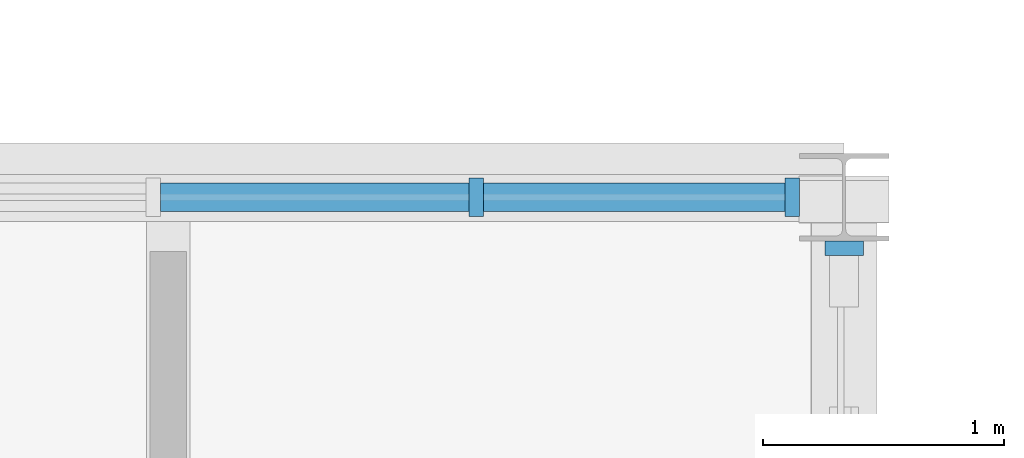
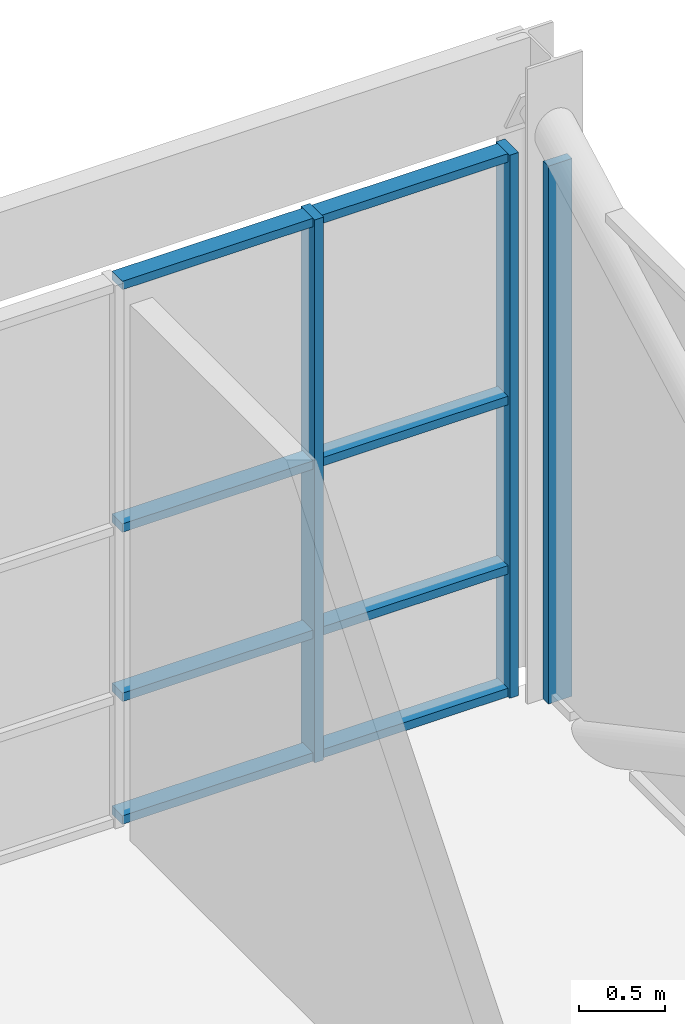
# One storey, part 13 of 29: 11 members, 2 elements without a shape of their own.
"""IFC4 building model written with IfcOpenShell, lengths in metres."""

from ifc_helpers import new_model, si_unit, direction, frame, origin, origin_2d, place, context, subcontext, project, spatial, rectangle, extrude, material, layer, layer_set, material_profile, profile_set, type_object, element, aggregate, save


model = new_model("IFC4")

# Units and contexts
model_context = context("Model", 3, precision=1e-05, world=origin(), true_north=direction((0.0, 1.0)))
body_context = subcontext(model_context, "Body", "Model", "MODEL_VIEW")
ifc_project = project(units=[si_unit("LENGTHUNIT", "METRE"), si_unit("AREAUNIT", "SQUARE_METRE"), si_unit("VOLUMEUNIT", "CUBIC_METRE"), si_unit("PLANEANGLEUNIT", "RADIAN"), si_unit("MASSUNIT", "GRAM", prefix="KILO")], contexts=[model_context])

# Site, building, storey
site_placement = place(None, origin())
site = spatial("IfcSite", under=ifc_project, at=site_placement, CompositionType="ELEMENT")
building_placement = place(site_placement, origin())
building = spatial("IfcBuilding", under=site, at=building_placement, Name="Ardhachandra Cancer Care Centre", CompositionType="ELEMENT")
storey_placement = place(building_placement, frame((0.0, 0.0, 13.5)))
storey = spatial("IfcBuildingStorey", under=building, at=storey_placement, Name="L03", CompositionType="ELEMENT", Elevation=13.5)

# Curtain wall, member
ifc_material_1 = material(Name="Aluminium extrusion", Category="aluminium")
ifc_layer = layer(ifc_material_1, 0.14990234375)
ifc_layer_set = layer_set([ifc_layer], Name="Aluminium extrusion")
curtain_wall_type = type_object("IfcCurtainWallType", Name="Curtain wall run", PredefinedType="NOTDEFINED", material=ifc_layer_set)
curtain_wall_1_placement = place(storey_placement, origin())
curtain_wall_1 = element("IfcCurtainWall", 1, at=curtain_wall_1_placement, inside=storey, type_object=curtain_wall_type, Name="Curtain wall L03 e/0145200_0096600", PredefinedType="NOTDEFINED")
ifc_material_2 = material(Name="Aluminium extrusion", Category="aluminium")
ifc_material_profile_1 = material_profile(ifc_material_2, rectangle(XDim=0.159912109375, YDim=0.06005859375, at=origin_2d()), Name="Curtain wall mullion 60 x 160")
ifc_profile_set_1 = profile_set([ifc_material_profile_1], Name="Aluminium extrusion")
member_type_1 = type_object("IfcMemberType", Name="Curtain wall mullion 60 x 160", PredefinedType="MULLION", material=ifc_profile_set_1)
member_1_placement = place(storey_placement, frame((145.199951171875, 104.7880859375, 0.0), z_axis=(0.0, 0.0, 1.0), x_axis=(-1.0, 0.0, 0.0)))
member_1 = element("IfcMember", 2, at=member_1_placement, type_object=member_type_1, Name="CW mullion 2", PredefinedType="MULLION", context=body_context, shape_type="SweptSolid", body=[
    extrude(rectangle(XDim=0.159912109375, YDim=0.06005859375, at=origin_2d()), origin(), (0.0, 0.0, 1.0), 3.8134765625),
])
aggregate(curtain_wall_1, [member_1])

# Curtain wall, members
curtain_wall_2_placement = place(storey_placement, origin())
curtain_wall_2 = element("IfcCurtainWall", 3, at=curtain_wall_2_placement, inside=storey, type_object=curtain_wall_type, Name="Curtain wall L03 n/0136800_0105000", PredefinedType="NOTDEFINED")
member_2_placement = place(storey_placement, frame((143.67626953125, 105.0, 0.0), z_axis=(0.0, 0.0, 1.0), x_axis=(0.0, 1.0, 0.0)))
member_2 = element("IfcMember", 4, at=member_2_placement, type_object=member_type_1, Name="CW mullion 6", PredefinedType="MULLION", context=body_context, shape_type="SweptSolid", body=[
    extrude(rectangle(XDim=0.159912109375, YDim=0.06005859375, at=origin_2d()), origin(), (0.0, 0.0, 1.0), 3.85009765625),
])
member_3_placement = place(storey_placement, frame((144.984619140625, 105.0, 0.0), z_axis=(0.0, 0.0, 1.0), x_axis=(0.0, 1.0, 0.0)))
member_3 = element("IfcMember", 5, at=member_3_placement, type_object=member_type_1, Name="CW mullion 7", PredefinedType="MULLION", context=body_context, shape_type="SweptSolid", body=[
    extrude(rectangle(XDim=0.159912109375, YDim=0.06005859375, at=origin_2d()), origin(), (0.0, 0.0, 1.0), 3.85009765625),
])
ifc_material_3 = material(Name="Aluminium extrusion", Category="aluminium")
ifc_material_profile_2 = material_profile(ifc_material_3, rectangle(XDim=0.1201171875, YDim=0.06005859375, at=origin_2d()), Name="Curtain wall transom 60 x 120")
ifc_profile_set_2 = profile_set([ifc_material_profile_2], Name="Aluminium extrusion")
member_type_2 = type_object("IfcMemberType", Name="Curtain wall transom 60 x 120", PredefinedType="USERDEFINED", material=ifc_profile_set_2)
member_4_placement = place(storey_placement, frame((142.3681640625, 105.0, 0.030029296875), z_axis=(1.0, 0.0, 0.0), x_axis=(0.0, 1.0, 0.0)))
member_4 = element("IfcMember", 6, at=member_4_placement, type_object=member_type_2, Name="CW transom 5.1", ObjectType="TRANSOM", PredefinedType="USERDEFINED", context=body_context, shape_type="SweptSolid", body=[
    extrude(rectangle(XDim=0.1201171875, YDim=0.06005859375, at=origin_2d()), origin(), (0.0, 0.0, 1.0), 1.278076171875),
])
member_5_placement = place(storey_placement, frame((142.3681640625, 105.0, 0.89990234375), z_axis=(1.0, 0.0, 0.0), x_axis=(0.0, 1.0, 0.0)))
member_5 = element("IfcMember", 7, at=member_5_placement, type_object=member_type_2, Name="CW transom 5.2", ObjectType="TRANSOM", PredefinedType="USERDEFINED", context=body_context, shape_type="SweptSolid", body=[
    extrude(rectangle(XDim=0.1201171875, YDim=0.06005859375, at=origin_2d()), origin(), (0.0, 0.0, 1.0), 1.278076171875),
])
member_6_placement = place(storey_placement, frame((142.3681640625, 105.0, 2.10009765625), z_axis=(1.0, 0.0, 0.0), x_axis=(0.0, 1.0, 0.0)))
member_6 = element("IfcMember", 8, at=member_6_placement, type_object=member_type_2, Name="CW transom 5.3", ObjectType="TRANSOM", PredefinedType="USERDEFINED", context=body_context, shape_type="SweptSolid", body=[
    extrude(rectangle(XDim=0.1201171875, YDim=0.06005859375, at=origin_2d()), origin(), (0.0, 0.0, 1.0), 1.278076171875),
])
member_7_placement = place(storey_placement, frame((142.3681640625, 105.0, 3.820068359375), z_axis=(1.0, 0.0, 0.0), x_axis=(0.0, 1.0, 0.0)))
member_7 = element("IfcMember", 9, at=member_7_placement, type_object=member_type_2, Name="CW transom 5.4", ObjectType="TRANSOM", PredefinedType="USERDEFINED", context=body_context, shape_type="SweptSolid", body=[
    extrude(rectangle(XDim=0.1201171875, YDim=0.06005859375, at=origin_2d()), origin(), (0.0, 0.0, 1.0), 1.278076171875),
])
member_8_placement = place(storey_placement, frame((143.706298828125, 105.0, 0.030029296875), z_axis=(1.0, 0.0, 0.0), x_axis=(0.0, 1.0, 0.0)))
member_8 = element("IfcMember", 10, at=member_8_placement, type_object=member_type_2, Name="CW transom 6.1", ObjectType="TRANSOM", PredefinedType="USERDEFINED", context=body_context, shape_type="SweptSolid", body=[
    extrude(rectangle(XDim=0.1201171875, YDim=0.06005859375, at=origin_2d()), origin(), (0.0, 0.0, 1.0), 1.248291015625),
])
member_9_placement = place(storey_placement, frame((143.706298828125, 105.0, 0.89990234375), z_axis=(1.0, 0.0, 0.0), x_axis=(0.0, 1.0, 0.0)))
member_9 = element("IfcMember", 11, at=member_9_placement, type_object=member_type_2, Name="CW transom 6.2", ObjectType="TRANSOM", PredefinedType="USERDEFINED", context=body_context, shape_type="SweptSolid", body=[
    extrude(rectangle(XDim=0.1201171875, YDim=0.06005859375, at=origin_2d()), origin(), (0.0, 0.0, 1.0), 1.248291015625),
])
member_10_placement = place(storey_placement, frame((143.706298828125, 105.0, 2.10009765625), z_axis=(1.0, 0.0, 0.0), x_axis=(0.0, 1.0, 0.0)))
member_10 = element("IfcMember", 12, at=member_10_placement, type_object=member_type_2, Name="CW transom 6.3", ObjectType="TRANSOM", PredefinedType="USERDEFINED", context=body_context, shape_type="SweptSolid", body=[
    extrude(rectangle(XDim=0.1201171875, YDim=0.06005859375, at=origin_2d()), origin(), (0.0, 0.0, 1.0), 1.248291015625),
])
member_11_placement = place(storey_placement, frame((143.706298828125, 105.0, 3.820068359375), z_axis=(1.0, 0.0, 0.0), x_axis=(0.0, 1.0, 0.0)))
member_11 = element("IfcMember", 13, at=member_11_placement, type_object=member_type_2, Name="CW transom 6.4", ObjectType="TRANSOM", PredefinedType="USERDEFINED", context=body_context, shape_type="SweptSolid", body=[
    extrude(rectangle(XDim=0.1201171875, YDim=0.06005859375, at=origin_2d()), origin(), (0.0, 0.0, 1.0), 1.248291015625),
])
aggregate(curtain_wall_2, [member_2, member_3, member_4, member_5, member_6, member_7, member_8, member_9, member_10, member_11])

save(model, "model.ifc")
